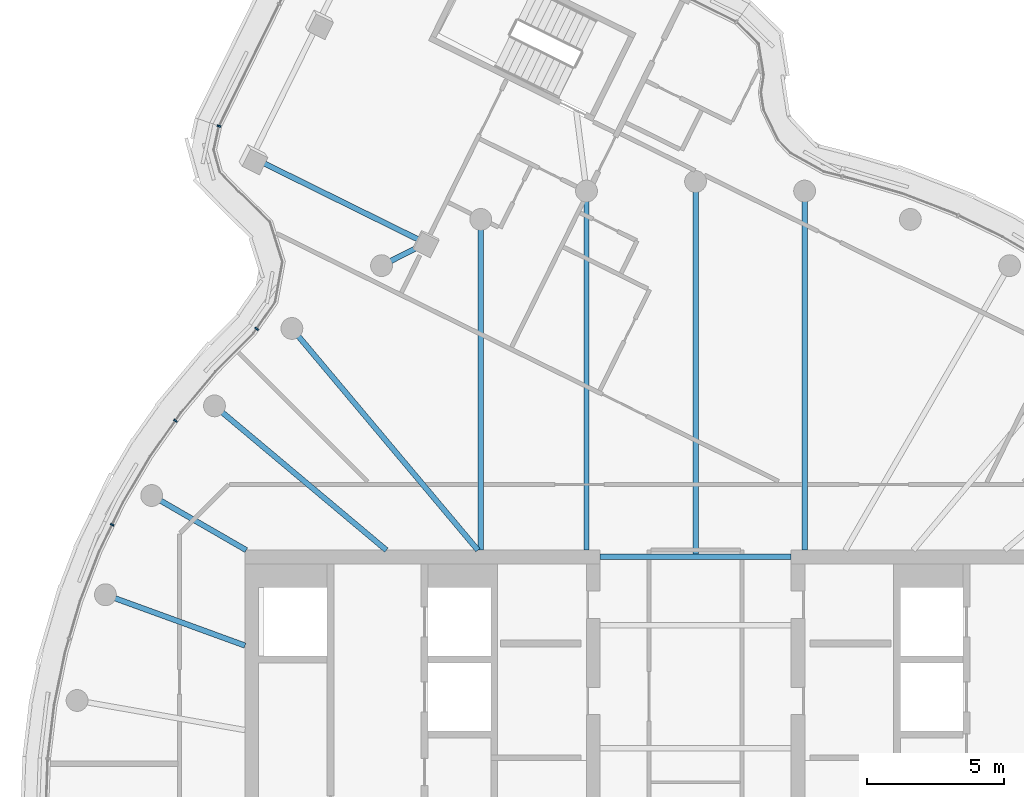
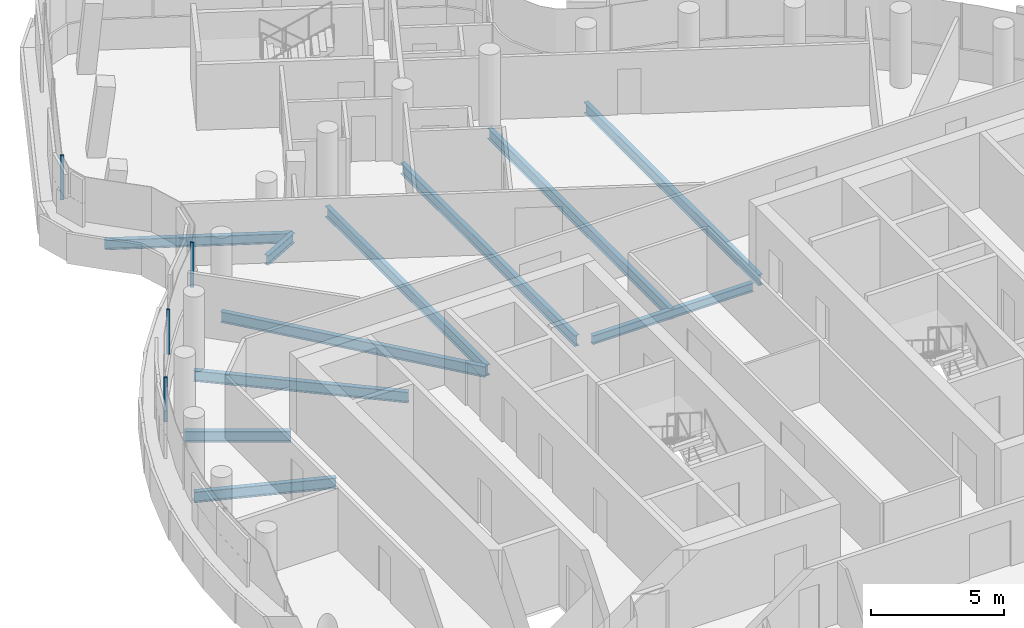
# One storey, part 9 of 21: 11 beams, 4 members, 1 element without a shape of its own.
"""IFC4 building model written with IfcOpenShell, lengths in metres."""

from ifc_helpers import new_model, si_unit, direction, frame, origin, origin_2d, place, context, subcontext, project, spatial, rectangle, i_section, extrude, material, layer, layer_set, material_profile, profile_set, type_object, element, aggregate, save


model = new_model("IFC4")

# Units and contexts
model_context = context("Model", 3, precision=1e-05, world=origin(), true_north=direction((0.0, 1.0)))
body_context = subcontext(model_context, "Body", "Model", "MODEL_VIEW")
ifc_project = project(units=[si_unit("LENGTHUNIT", "METRE"), si_unit("AREAUNIT", "SQUARE_METRE"), si_unit("VOLUMEUNIT", "CUBIC_METRE"), si_unit("PLANEANGLEUNIT", "RADIAN"), si_unit("MASSUNIT", "GRAM", prefix="KILO")], contexts=[model_context])

# Site, building, storey
site_placement = place(None, origin())
site = spatial("IfcSite", under=ifc_project, at=site_placement, CompositionType="ELEMENT")
building_placement = place(site_placement, origin())
building = spatial("IfcBuilding", under=site, at=building_placement, Name="Tamarind Cross Interchange Tower", CompositionType="ELEMENT")
storey_placement = place(building_placement, frame((0.0, 0.0, 264.0)))
storey = spatial("IfcBuildingStorey", under=building, at=storey_placement, Name="L67", CompositionType="ELEMENT", Elevation=264.0)

# Beams
ifc_material_1 = material(Name="Steel Q355B", Category="steel")
ifc_material_profile_1 = material_profile(ifc_material_1, i_section(OverallWidth=0.199951171875, OverallDepth=0.39990234375, WebThickness=0.008056640625, FlangeThickness=0.012939453125, FilletRadius=0.01611328125, at=origin_2d()), Name="HN 400x200x8x13")
ifc_profile_set_1 = profile_set([ifc_material_profile_1], Name="Steel Q355B")
beam_type_1 = type_object("IfcBeamType", Name="Composite beam HN 400x200x8x13 Q355B", PredefinedType="BEAM", material=ifc_profile_set_1)
beam_1_placement = place(storey_placement, frame((-3.5, 9.25, -0.340087890625), z_axis=(1.0, 0.0, 0.0), x_axis=(0.0, 1.0, 0.0)))
element("IfcBeam", 1, at=beam_1_placement, inside=storey, type_object=beam_type_1, Name="Beam G9.25", PredefinedType="BEAM", context=body_context, shape_type="SweptSolid", body=[
    extrude(i_section(OverallWidth=0.199951171875, OverallDepth=0.39990234375, WebThickness=0.008056640625, FlangeThickness=0.012939453125, FilletRadius=0.01611328125, at=origin_2d()), origin(), (0.0, 0.0, 1.0), 7.0),
])
ifc_material_profile_2 = material_profile(ifc_material_1, i_section(OverallWidth=0.198974609375, OverallDepth=0.446044921875, WebThickness=0.008056640625, FlangeThickness=0.011962890625, FilletRadius=0.012939453125, at=origin_2d()), Name="HN 446x199x8x12")
ifc_profile_set_2 = profile_set([ifc_material_profile_2], Name="Steel Q355B")
beam_type_2 = type_object("IfcBeamType", Name="Composite beam HN 446x199x8x12 Q355B", PredefinedType="BEAM", material=ifc_profile_set_2)
beam_2_placement = place(storey_placement, frame((-16.250244140625, 23.886474609375, -0.363037109375), z_axis=(0.896744088641, -0.44254947688, 0.0), x_axis=(0.44254947688, 0.896744088641, 0.0)))
element("IfcBeam", 2, at=beam_2_placement, inside=storey, type_object=beam_type_2, Name="Beam N-edgeep2", PredefinedType="BEAM", context=body_context, shape_type="SweptSolid", body=[
    extrude(i_section(OverallWidth=0.198974609375, OverallDepth=0.446044921875, WebThickness=0.008056640625, FlangeThickness=0.011962890625, FilletRadius=0.012939453125, at=origin_2d()), origin(), (0.0, 0.0, 1.0), 7.107177734375),
])
beam_3_placement = place(storey_placement, frame((-9.876953125, 20.7412109375, -0.363037109375), z_axis=(-0.891998988213, -0.452037393395, 0.0), x_axis=(0.452037393395, -0.891998988213, 0.0)))
element("IfcBeam", 3, at=beam_3_placement, inside=storey, type_object=beam_type_2, Name="Beam N-linkep", PredefinedType="BEAM", context=body_context, shape_type="SweptSolid", body=[
    extrude(i_section(OverallWidth=0.198974609375, OverallDepth=0.446044921875, WebThickness=0.008056640625, FlangeThickness=0.011962890625, FilletRadius=0.012939453125, at=origin_2d()), origin(), (0.0, 0.0, 1.0), 1.819580078125),
])
ifc_material_profile_3 = material_profile(ifc_material_1, i_section(OverallWidth=0.198974609375, OverallDepth=0.49609375, WebThickness=0.009033203125, FlangeThickness=0.013916015625, FilletRadius=0.012939453125, at=origin_2d()), Name="HN 496x199x9x14")
ifc_profile_set_3 = profile_set([ifc_material_profile_3], Name="Steel Q355B")
beam_type_3 = type_object("IfcBeamType", Name="Composite beam HN 496x199x9x14 Q355B", PredefinedType="BEAM", material=ifc_profile_set_3)
beam_4_placement = place(storey_placement, frame((3.993896484375, 22.650634765625, -0.387939453125), z_axis=(0.0, -1.0, 0.0), x_axis=(1.0, 0.0, 0.0)))
element("IfcBeam", 4, at=beam_4_placement, inside=storey, type_object=beam_type_3, Name="Beam HH08", PredefinedType="BEAM", context=body_context, shape_type="SweptSolid", body=[
    extrude(i_section(OverallWidth=0.198974609375, OverallDepth=0.49609375, WebThickness=0.009033203125, FlangeThickness=0.013916015625, FilletRadius=0.012939453125, at=origin_2d()), origin(), (0.0, 0.0, 1.0), 13.150634765625),
])
beam_5_placement = place(storey_placement, frame((0.0, 23.0, -0.387939453125), z_axis=(0.0, -1.0, 0.0), x_axis=(1.0, 0.0, 0.0)))
element("IfcBeam", 5, at=beam_5_placement, inside=storey, type_object=beam_type_3, Name="Beam HH09", PredefinedType="BEAM", context=body_context, shape_type="SweptSolid", body=[
    extrude(i_section(OverallWidth=0.198974609375, OverallDepth=0.49609375, WebThickness=0.009033203125, FlangeThickness=0.013916015625, FilletRadius=0.012939453125, at=origin_2d()), origin(), (0.0, 0.0, 1.0), 13.75),
])
beam_6_placement = place(storey_placement, frame((-3.993896484375, 22.650634765625, -0.387939453125), z_axis=(0.0, -1.0, 0.0), x_axis=(1.0, 0.0, 0.0)))
element("IfcBeam", 6, at=beam_6_placement, inside=storey, type_object=beam_type_3, Name="Beam HH10", PredefinedType="BEAM", context=body_context, shape_type="SweptSolid", body=[
    extrude(i_section(OverallWidth=0.198974609375, OverallDepth=0.49609375, WebThickness=0.009033203125, FlangeThickness=0.013916015625, FilletRadius=0.012939453125, at=origin_2d()), origin(), (0.0, 0.0, 1.0), 13.150634765625),
])
beam_7_placement = place(storey_placement, frame((-7.866455078125, 21.613037109375, -0.387939453125), z_axis=(0.0, -1.0, 0.0), x_axis=(1.0, 0.0, 0.0)))
element("IfcBeam", 7, at=beam_7_placement, inside=storey, type_object=beam_type_3, Name="Beam HH11", PredefinedType="BEAM", context=body_context, shape_type="SweptSolid", body=[
    extrude(i_section(OverallWidth=0.198974609375, OverallDepth=0.49609375, WebThickness=0.009033203125, FlangeThickness=0.013916015625, FilletRadius=0.012939453125, at=origin_2d()), origin(), (0.0, 0.0, 1.0), 12.113037109375),
])
beam_8_placement = place(storey_placement, frame((-14.7841796875, 17.619140625, -0.387939453125), z_axis=(0.642786293979, -0.766045547127, 0.0), x_axis=(0.766045547127, 0.642786293979, 0.0)))
element("IfcBeam", 8, at=beam_8_placement, inside=storey, type_object=beam_type_3, Name="Beam HH13", PredefinedType="BEAM", context=body_context, shape_type="SweptSolid", body=[
    extrude(i_section(OverallWidth=0.198974609375, OverallDepth=0.49609375, WebThickness=0.009033203125, FlangeThickness=0.013916015625, FilletRadius=0.012939453125, at=origin_2d()), origin(), (0.0, 0.0, 1.0), 10.598876953125),
])
beam_9_placement = place(storey_placement, frame((-17.619140625, 14.7841796875, -0.387939453125), z_axis=(0.766040580814, -0.642792212574, 0.0), x_axis=(0.642792212574, 0.766040580814, 0.0)))
element("IfcBeam", 9, at=beam_9_placement, inside=storey, type_object=beam_type_3, Name="Beam HH14", PredefinedType="BEAM", context=body_context, shape_type="SweptSolid", body=[
    extrude(i_section(OverallWidth=0.198974609375, OverallDepth=0.49609375, WebThickness=0.009033203125, FlangeThickness=0.013916015625, FilletRadius=0.012939453125, at=origin_2d()), origin(), (0.0, 0.0, 1.0), 8.220703125),
])
beam_10_placement = place(storey_placement, frame((-19.918701171875, 11.5, -0.387939453125), z_axis=(0.866026010844, -0.49999894854, 0.0), x_axis=(0.49999894854, 0.866026010844, 0.0)))
element("IfcBeam", 10, at=beam_10_placement, inside=storey, type_object=beam_type_3, Name="Beam HH15", PredefinedType="BEAM", context=body_context, shape_type="SweptSolid", body=[
    extrude(i_section(OverallWidth=0.198974609375, OverallDepth=0.49609375, WebThickness=0.009033203125, FlangeThickness=0.013916015625, FilletRadius=0.012939453125, at=origin_2d()), origin(), (0.0, 0.0, 1.0), 4.0),
])
beam_11_placement = place(storey_placement, frame((-21.613037109375, 7.866455078125, -0.387939453125), z_axis=(0.939701685589, -0.341995236956, 0.0), x_axis=(0.341995236956, 0.939701685589, 0.0)))
element("IfcBeam", 11, at=beam_11_placement, inside=storey, type_object=beam_type_3, Name="Beam HH16", PredefinedType="BEAM", context=body_context, shape_type="SweptSolid", body=[
    extrude(i_section(OverallWidth=0.198974609375, OverallDepth=0.49609375, WebThickness=0.009033203125, FlangeThickness=0.013916015625, FilletRadius=0.012939453125, at=origin_2d()), origin(), (0.0, 0.0, 1.0), 5.441162109375),
])

# Curtain wall, members
ifc_material_2 = material(Name="Aluminium 6063-T6", Category="aluminium")
ifc_layer = layer(ifc_material_2, 0.139892578125)
ifc_layer_set = layer_set([ifc_layer], Name="Aluminium 6063-T6")
curtain_wall_type = type_object("IfcCurtainWallType", Name="Hotel curtain wall, 4.5 m bays", PredefinedType="NOTDEFINED", material=ifc_layer_set)
curtain_wall_placement = place(storey_placement, origin())
curtain_wall = element("IfcCurtainWall", 12, at=curtain_wall_placement, inside=storey, type_object=curtain_wall_type, Name="CWS-L67-01", PredefinedType="NOTDEFINED")
ifc_material_profile_4 = material_profile(ifc_material_2, rectangle(XDim=0.06005859375, YDim=0.139892578125, at=origin_2d()), Name="Mullion CW2")
ifc_profile_set_4 = profile_set([ifc_material_profile_4], Name="Aluminium 6063-T6")
member_type = type_object("IfcMemberType", Name="Mullion CW2", PredefinedType="MULLION", material=ifc_profile_set_4)
member_1_placement = place(storey_placement, frame((-17.453369140625, 25.030029296875, 1.39990234375), z_axis=(0.0, 0.0, 1.0), x_axis=(-0.331269584023, -0.943536148063, 0.0)))
member_1 = element("IfcMember", 13, at=member_1_placement, type_object=member_type, Name="CWM-L67-01-00", PredefinedType="MULLION", context=body_context, shape_type="SweptSolid", body=[
    extrude(rectangle(XDim=0.06005859375, YDim=0.139892578125, at=origin_2d()), origin(), (0.0, 0.0, 1.0), 2.06005859375),
])
member_2_placement = place(storey_placement, frame((-16.07568359375, 17.60693359375, 1.39990234375), z_axis=(0.0, 0.0, 1.0), x_axis=(-0.571568162648, -0.820554590169, 0.0)))
member_2 = element("IfcMember", 14, at=member_2_placement, type_object=member_type, Name="CWM-L67-01-01", PredefinedType="MULLION", context=body_context, shape_type="SweptSolid", body=[
    extrude(rectangle(XDim=0.06005859375, YDim=0.139892578125, at=origin_2d()), origin(), (0.0, 0.0, 1.0), 2.06005859375),
])
member_3_placement = place(storey_placement, frame((-19.04931640625, 14.239990234375, 1.39990234375), z_axis=(0.0, 0.0, 1.0), x_axis=(-0.577568978284, -0.816341886298, 0.0)))
member_3 = element("IfcMember", 15, at=member_3_placement, type_object=member_type, Name="CWM-L67-01-02", PredefinedType="MULLION", context=body_context, shape_type="SweptSolid", body=[
    extrude(rectangle(XDim=0.06005859375, YDim=0.139892578125, at=origin_2d()), origin(), (0.0, 0.0, 1.0), 2.06005859375),
])
member_4_placement = place(storey_placement, frame((-21.36572265625, 10.429931640625, 1.39990234375), z_axis=(0.0, 0.0, 1.0), x_axis=(-0.435326231914, -0.900272776334, 0.0)))
member_4 = element("IfcMember", 16, at=member_4_placement, type_object=member_type, Name="CWM-L67-01-03", PredefinedType="MULLION", context=body_context, shape_type="SweptSolid", body=[
    extrude(rectangle(XDim=0.06005859375, YDim=0.139892578125, at=origin_2d()), origin(), (0.0, 0.0, 1.0), 2.06005859375),
])
aggregate(curtain_wall, [member_1, member_2, member_3, member_4])

save(model, "model.ifc")
